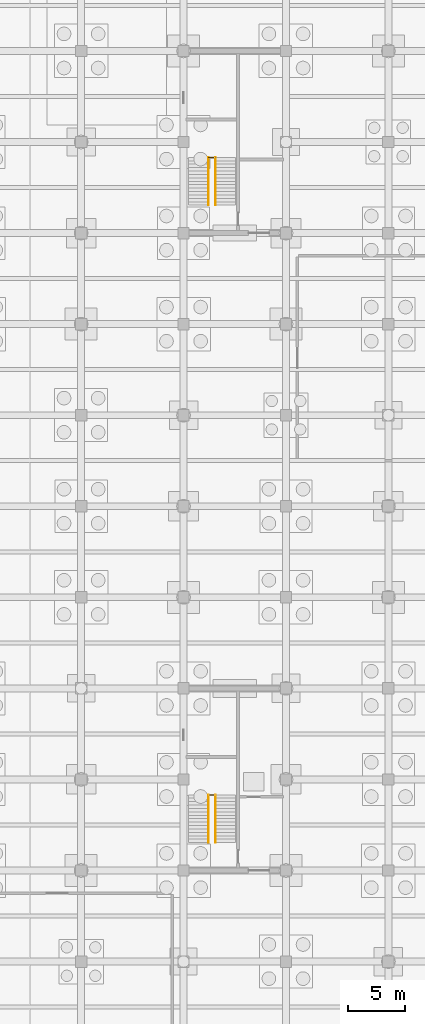
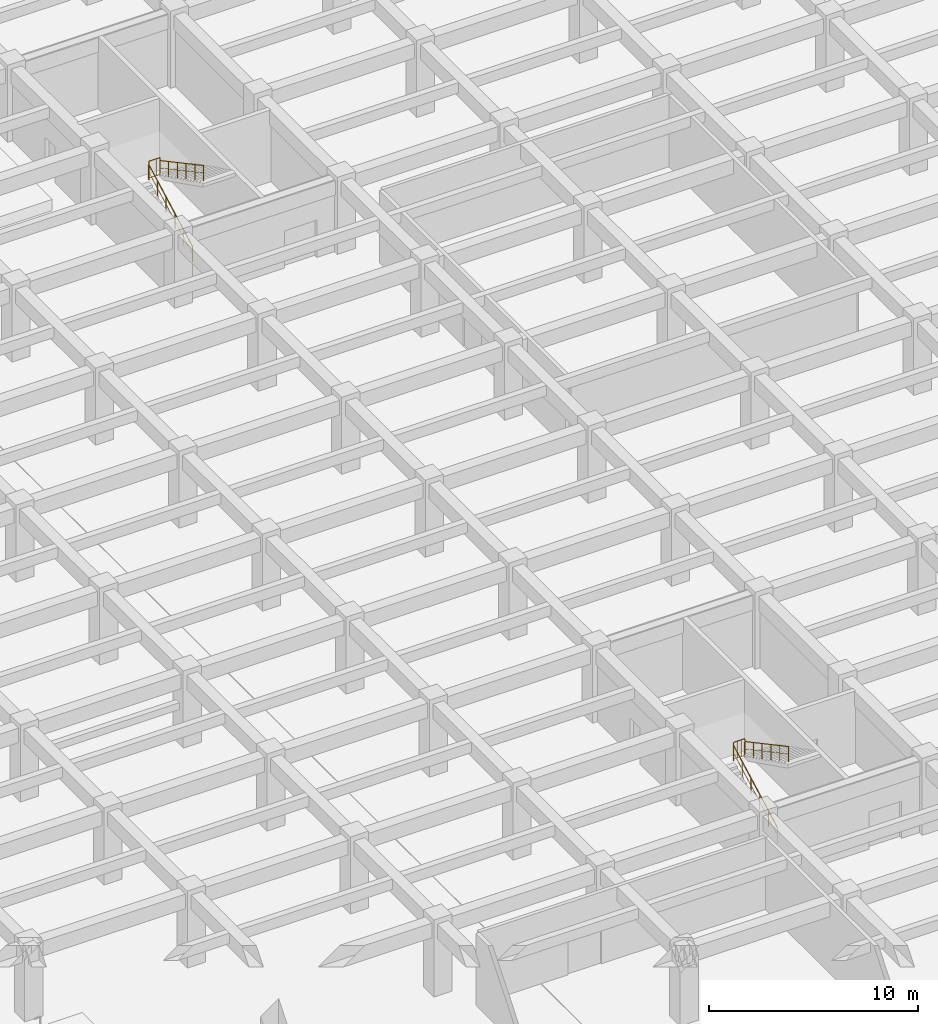
# One storey, part 30 of 31: 6 railings.
"""IFC4 building model written with IfcOpenShell, lengths in metres."""

import ifcopenshell
import ifcopenshell.guid

model = None  # the IFC model being written
_history = None  # IfcOwnerHistory: only IFC2X3 demands one
_inside = {}  # id of a spatial element -> (the spatial element, [elements in it])
_under = {}  # id of a project, library or spatial element -> (it, [spatial elements below it])
_declared = {}  # id of a project -> (the project, [libraries it declares])
_typed = {}  # id of a type object -> (the type object, [elements of that type])
_made_of = {}  # id of a material, layer set ... -> (it, [elements and type objects made of it])


def new_model(schema):
    """Start an empty IFC model of exactly this schema.

    Asked for "IFC4X3", IfcOpenShell would pick the latest addendum, in which some entities
    have other attributes; the version numbers below select the first issue.
    IFC2X3 requires an IfcOwnerHistory on every rooted entity: one is made here for all.
    """
    global model, _history
    if schema == "IFC4X3":
        model = ifcopenshell.file(schema_version=(4, 3, 0, 0))
    else:
        model = ifcopenshell.file(schema=schema)
    _inside.clear()
    _under.clear()
    _declared.clear()
    _typed.clear()
    _made_of.clear()
    _history = None
    if model.schema == "IFC2X3":
        org = make("IfcOrganization", Name="unknown")
        user = make(
            "IfcPersonAndOrganization",
            ThePerson=make("IfcPerson", FamilyName="unknown"),
            TheOrganization=org,
        )
        app = make(
            "IfcApplication",
            ApplicationDeveloper=org,
            Version="unknown",
            ApplicationFullName="unknown",
            ApplicationIdentifier="unknown",
        )
        _history = make(
            "IfcOwnerHistory",
            OwningUser=user,
            OwningApplication=app,
            ChangeAction="ADDED",
            CreationDate=0,
        )
    return model


def make(cls, **values):
    """One entity of the class cls with the attributes given. An attribute that is None is left unset."""
    return model.create_entity(
        cls, **{name: value for name, value in values.items() if value is not None}
    )


def rooted(cls, **values):
    """An entity with a GlobalId (a new one), such as an element, a storey or a relation."""
    return make(cls, GlobalId=ifcopenshell.guid.new(), OwnerHistory=_history, **values)


def si_unit(unit_type, name, prefix=None):
    """IfcSIUnit, for example si_unit("LENGTHUNIT", "METRE", prefix="MILLI")."""
    return make("IfcSIUnit", UnitType=unit_type, Prefix=prefix, Name=name)


def assignment(units):
    """IfcUnitAssignment: the units of a project."""
    return None if units is None else make("IfcUnitAssignment", Units=units)


def point(xyz):
    """IfcCartesianPoint."""
    return None if xyz is None else make("IfcCartesianPoint", Coordinates=xyz)


def direction(xyz):
    """IfcDirection."""
    return None if xyz is None else make("IfcDirection", DirectionRatios=xyz)


def frame(location, z_axis=None, x_axis=None):
    """IfcAxis2Placement3D, a coordinate frame: its origin and axes. An axis left out is left unset."""
    return make(
        "IfcAxis2Placement3D",
        Location=point(location),
        Axis=direction(z_axis),
        RefDirection=direction(x_axis),
    )


def frame_2d(location, x_axis=None):
    """IfcAxis2Placement2D, a coordinate frame in the plane: its origin and x axis."""
    return make(
        "IfcAxis2Placement2D", Location=point(location), RefDirection=direction(x_axis)
    )


def origin():
    """The frame at (0, 0, 0) with its axes left unset."""
    return frame((0.0, 0.0, 0.0))


def origin_2d():
    """The frame at (0, 0) in the plane with its x axis left unset."""
    return frame_2d((0.0, 0.0))


def place(relative_to, where):
    """IfcLocalPlacement: puts the frame where relative to a parent placement (None: the world)."""
    return make(
        "IfcLocalPlacement", PlacementRelTo=relative_to, RelativePlacement=where
    )


def context(
    kind, dimensions, precision=None, world=None, true_north=None, identifier=None
):
    """IfcGeometricRepresentationContext, for example the 3D "Model" context."""
    return make(
        "IfcGeometricRepresentationContext",
        ContextIdentifier=identifier,
        ContextType=kind,
        CoordinateSpaceDimension=dimensions,
        Precision=precision,
        WorldCoordinateSystem=world,
        TrueNorth=true_north,
    )


def subcontext(parent, identifier, kind, view, scale=None):
    """IfcGeometricRepresentationSubContext, for example "Body" below "Model"."""
    return make(
        "IfcGeometricRepresentationSubContext",
        ContextIdentifier=identifier,
        ContextType=kind,
        ParentContext=parent,
        TargetScale=scale,
        TargetView=view,
    )


def project(units=None, contexts=None):
    """IfcProject with its units and contexts."""
    return rooted(
        "IfcProject",
        Name="project",
        RepresentationContexts=contexts,
        UnitsInContext=assignment(units),
    )


def spatial(cls, under=None, at=None, **own):
    """A site, building, storey or space (cls), placed at a placement, below another one or the project."""
    s = rooted(cls, ObjectPlacement=at, **own)
    if under is not None:
        _under.setdefault(under.id(), (under, []))[1].append(s)
    return s


def profile(cls, at=None, kind="AREA", **sizes):
    """A parametric profile (cls). Its sizes go by their IFC names, for example OverallWidth=200.0."""
    return make(cls, ProfileType=kind, Position=at, **sizes)


def circle(**sizes):
    """IfcCircleProfileDef."""
    return profile("IfcCircleProfileDef", **sizes)


def extrude(swept, where, along, depth):
    """IfcExtrudedAreaSolid: the profile swept, set in the frame where, extruded along a direction by depth."""
    return make(
        "IfcExtrudedAreaSolid",
        SweptArea=swept,
        Position=where,
        ExtrudedDirection=direction(along),
        Depth=depth,
    )


def shape(context_of_items, identifier, shape_type, items):
    """IfcShapeRepresentation: the items that make up one representation, for example the "Body"."""
    return make(
        "IfcShapeRepresentation",
        ContextOfItems=context_of_items,
        RepresentationIdentifier=identifier,
        RepresentationType=shape_type,
        Items=items,
    )


def material(Name=None, Category=None):
    """IfcMaterial."""
    return make("IfcMaterial", Name=Name, Category=Category)


def layer(
    of_material, thickness, ventilated=None, Name=None, Category=None, Priority=None
):
    """IfcMaterialLayer: one layer of a wall or slab, of a material (None: an air gap)."""
    return make(
        "IfcMaterialLayer",
        Material=of_material,
        LayerThickness=thickness,
        IsVentilated=ventilated,
        Name=Name,
        Category=Category,
        Priority=Priority,
    )


def layer_set(layers, Name=None):
    """IfcMaterialLayerSet."""
    return make("IfcMaterialLayerSet", MaterialLayers=layers, LayerSetName=Name)


def made_of(thing, what):
    """Note that an element or type object is made of a material, layer set ...; save() writes the relation."""
    if what is not None:
        _made_of.setdefault(what.id(), (what, []))[1].append(thing)
    return thing


def type_object(cls, material=None, **own):
    """A type object (cls), such as IfcWallType, which elements share."""
    return made_of(rooted(cls, **own), material)


def element(
    cls,
    number,
    at=None,
    inside=None,
    cuts=None,
    type_object=None,
    material=None,
    context=None,
    identifier="Body",
    shape_type=None,
    held_by="IfcProductDefinitionShape",
    body=None,
    shapes=None,
    **own,
):
    """One element of the class cls, such as IfcWall. Its Tag is "e" and its number.

    at: its placement. inside: the storey or other place that contains it. cuts: it is an
    opening in that element (IfcRelVoidsElement). A single representation is given by context,
    identifier, shape_type and body (its items); several are given by shapes. held_by: the class
    of the entity that holds the representations. save() writes the other relations.
    """
    e = rooted(cls, Tag="e%d" % number, ObjectPlacement=at, **own)
    if body is not None:
        shapes = [shape(context, identifier, shape_type, body)]
    if shapes is not None:
        e.Representation = make(held_by, Representations=shapes)
    if inside is not None:
        _inside.setdefault(inside.id(), (inside, []))[1].append(e)
    if cuts is not None:
        rooted(
            "IfcRelVoidsElement", RelatingBuildingElement=cuts, RelatedOpeningElement=e
        )
    if type_object is not None:
        _typed.setdefault(type_object.id(), (type_object, []))[1].append(e)
    return made_of(e, material)


def aggregate(whole, parts):
    """IfcRelAggregates: a whole, such as a stair, and the parts it consists of."""
    return rooted("IfcRelAggregates", RelatingObject=whole, RelatedObjects=parts)


def save(model, path):
    """Write the relations noted so far, then the file.

    IfcRelAggregates (storeys below a building ...), IfcRelContainedInSpatialStructure (elements
    in a storey), IfcRelDefinesByType, IfcRelAssociatesMaterial and IfcRelDeclares: one each for
    every whole, place, type object, material and project.
    """
    for whole, parts in _under.values():
        aggregate(whole, parts)
    for where, things in _inside.values():
        rooted(
            "IfcRelContainedInSpatialStructure",
            RelatedElements=things,
            RelatingStructure=where,
        )
    for kind, things in _typed.values():
        rooted("IfcRelDefinesByType", RelatedObjects=things, RelatingType=kind)
    for what, things in _made_of.values():
        rooted("IfcRelAssociatesMaterial", RelatedObjects=things, RelatingMaterial=what)
    for by, libraries in _declared.values():
        rooted("IfcRelDeclares", RelatingContext=by, RelatedDefinitions=libraries)
    model.write(path)


model = new_model("IFC4")

# Units and contexts
model_context = context("Model", 3, precision=1e-05, world=origin(), true_north=direction((0.0, 1.0)))
body_context = subcontext(model_context, "Body", "Model", "MODEL_VIEW")
ifc_project = project(units=[si_unit("LENGTHUNIT", "METRE"), si_unit("AREAUNIT", "SQUARE_METRE"), si_unit("VOLUMEUNIT", "CUBIC_METRE"), si_unit("PLANEANGLEUNIT", "RADIAN"), si_unit("MASSUNIT", "GRAM", prefix="KILO")], contexts=[model_context])

# Site, building, storey
site_placement = place(None, origin())
site = spatial("IfcSite", under=ifc_project, at=site_placement, CompositionType="ELEMENT")
building_placement = place(site_placement, origin())
building = spatial("IfcBuilding", under=site, at=building_placement, Name="Zaverband Oceanarium and Marine Research Institute", CompositionType="ELEMENT")
storey_placement = place(building_placement, frame((0.0, 0.0, -9.0)))
storey = spatial("IfcBuildingStorey", under=building, at=storey_placement, Name="B2", CompositionType="ELEMENT", Elevation=-9.0)

# Railings
ifc_material = material(Name="Steel S355", Category="steel")
ifc_layer_1 = layer(ifc_material, 0.06005859375, Name="Steel S355")
ifc_layer_set_1 = layer_set([ifc_layer_1], Name="Steel S355")
railing_type_1 = type_object("IfcRailingType", Name="GRD-1100", PredefinedType="BALUSTRADE", material=ifc_layer_set_1)
for number, where, name in (
    (1, (137.18994140625, 30.6298828125, 2.25), "1100 mm steel post-and-baluster safety guard GRD-1100"),
    (2, (137.18994140625, 86.6298828125, 2.25), "1100 mm steel post-and-baluster safety guard GRD-1100"),
):
    element("IfcRailing", number, at=place(storey_placement, frame(where)), inside=storey, type_object=railing_type_1, Name=name, PredefinedType="BALUSTRADE", context=body_context, shape_type="SweptSolid", body=[
        extrude(circle(Radius=0.02392578125, at=origin_2d()), frame((0.0, 0.0, 1.076171875), z_axis=(1.0, 0.0, 0.0), x_axis=(0.0, 1.0, 0.0)), (0.0, 0.0, 1.0), 0.6201171875),
        extrude(circle(Radius=0.009033203125, at=origin_2d()), frame((0.0, 0.0, 0.10009765625), z_axis=(1.0, 0.0, 0.0), x_axis=(0.0, 1.0, 0.0)), (0.0, 0.0, 1.0), 0.6201171875),
        extrude(circle(Radius=0.009033203125, at=origin_2d()), frame((0.206787109375, 0.0, 0.10009765625)), (0.0, 0.0, 1.0), 0.951904296875),
        extrude(circle(Radius=0.009033203125, at=origin_2d()), frame((0.413330078125, 0.0, 0.10009765625)), (0.0, 0.0, 1.0), 0.951904296875),
        extrude(circle(Radius=0.02099609375, at=origin_2d()), origin(), (0.0, 0.0, 1.0), 1.052001953125),
        extrude(circle(Radius=0.02099609375, at=origin_2d()), frame((0.6201171875, 0.0, 0.0)), (0.0, 0.0, 1.0), 1.052001953125),
    ])
ifc_layer_2 = layer(ifc_material, 0.050048828125, Name="Steel S355")
ifc_layer_set_2 = layer_set([ifc_layer_2], Name="Steel S355")
railing_type_2 = type_object("IfcRailingType", Name="HR-920", PredefinedType="HANDRAIL", material=ifc_layer_set_2)
railing_1_placement = place(storey_placement, frame((137.18994140625, 26.449951171875, 0.0)))
element("IfcRailing", 3, at=railing_1_placement, inside=storey, type_object=railing_type_2, Name="920 mm continuous tubular stair and ramp handrail HR-920", PredefinedType="HANDRAIL", context=body_context, shape_type="SweptSolid", body=[
    extrude(circle(Radius=0.02392578125, at=origin_2d()), frame((0.0, 0.0, 0.89599609375), z_axis=(0.0, 0.881477684796, 0.472225678258), x_axis=(-1.0, 0.0, 0.0)), (0.0, 0.0, 1.0), 4.7646484375),
    extrude(circle(Radius=0.009033203125, at=origin_2d()), frame((0.0, 0.0, 0.4599609375), z_axis=(0.0, 0.881477684796, 0.472225678258), x_axis=(-1.0, 0.0, 0.0)), (0.0, 0.0, 1.0), 4.7646484375),
    extrude(circle(Radius=0.02099609375, at=origin_2d()), origin(), (0.0, 0.0, 1.0), 0.871826171875),
    extrude(circle(Radius=0.02099609375, at=origin_2d()), frame((0.0, 0.840087890625, 0.449951171875)), (0.0, 0.0, 1.0), 0.871826171875),
    extrude(circle(Radius=0.02099609375, at=origin_2d()), frame((0.0, 1.679931640625, 0.89990234375)), (0.0, 0.0, 1.0), 0.871826171875),
    extrude(circle(Radius=0.02099609375, at=origin_2d()), frame((0.0, 2.52001953125, 1.35009765625)), (0.0, 0.0, 1.0), 0.871826171875),
    extrude(circle(Radius=0.02099609375, at=origin_2d()), frame((0.0, 3.35986328125, 1.800048828125)), (0.0, 0.0, 1.0), 0.871826171875),
    extrude(circle(Radius=0.02099609375, at=origin_2d()), frame((0.0, 4.199951171875, 2.25)), (0.0, 0.0, 1.0), 0.871826171875),
])
railing_2_placement = place(storey_placement, frame((137.81005859375, 30.64990234375, 2.25)))
element("IfcRailing", 4, at=railing_2_placement, inside=storey, type_object=railing_type_2, Name="920 mm continuous tubular stair and ramp handrail HR-920", PredefinedType="HANDRAIL", context=body_context, shape_type="SweptSolid", body=[
    extrude(circle(Radius=0.02392578125, at=origin_2d()), frame((0.0, 0.0, 0.89599609375), z_axis=(0.0, -0.881477684796, 0.472225678258), x_axis=(1.0, 0.0, 0.0)), (0.0, 0.0, 1.0), 4.7646484375),
    extrude(circle(Radius=0.009033203125, at=origin_2d()), frame((0.0, 0.0, 0.4599609375), z_axis=(0.0, -0.881477684796, 0.472225678258), x_axis=(1.0, 0.0, 0.0)), (0.0, 0.0, 1.0), 4.7646484375),
    extrude(circle(Radius=0.02099609375, at=origin_2d()), origin(), (0.0, 0.0, 1.0), 0.871826171875),
    extrude(circle(Radius=0.02099609375, at=origin_2d()), frame((0.0, -0.840087890625, 0.449951171875)), (0.0, 0.0, 1.0), 0.871826171875),
    extrude(circle(Radius=0.02099609375, at=origin_2d()), frame((0.0, -1.679931640625, 0.89990234375)), (0.0, 0.0, 1.0), 0.871826171875),
    extrude(circle(Radius=0.02099609375, at=origin_2d()), frame((0.0, -2.52001953125, 1.35009765625)), (0.0, 0.0, 1.0), 0.871826171875),
    extrude(circle(Radius=0.02099609375, at=origin_2d()), frame((0.0, -3.35986328125, 1.800048828125)), (0.0, 0.0, 1.0), 0.871826171875),
    extrude(circle(Radius=0.02099609375, at=origin_2d()), frame((0.0, -4.199951171875, 2.25)), (0.0, 0.0, 1.0), 0.871826171875),
])
railing_3_placement = place(storey_placement, frame((137.18994140625, 82.449951171875, 0.0)))
element("IfcRailing", 5, at=railing_3_placement, inside=storey, type_object=railing_type_2, Name="920 mm continuous tubular stair and ramp handrail HR-920", PredefinedType="HANDRAIL", context=body_context, shape_type="SweptSolid", body=[
    extrude(circle(Radius=0.02392578125, at=origin_2d()), frame((0.0, 0.0, 0.89599609375), z_axis=(0.0, 0.881477684796, 0.472225678258), x_axis=(-1.0, 0.0, 0.0)), (0.0, 0.0, 1.0), 4.7646484375),
    extrude(circle(Radius=0.009033203125, at=origin_2d()), frame((0.0, 0.0, 0.4599609375), z_axis=(0.0, 0.881477684796, 0.472225678258), x_axis=(-1.0, 0.0, 0.0)), (0.0, 0.0, 1.0), 4.7646484375),
    extrude(circle(Radius=0.02099609375, at=origin_2d()), origin(), (0.0, 0.0, 1.0), 0.871826171875),
    extrude(circle(Radius=0.02099609375, at=origin_2d()), frame((0.0, 0.840087890625, 0.449951171875)), (0.0, 0.0, 1.0), 0.871826171875),
    extrude(circle(Radius=0.02099609375, at=origin_2d()), frame((0.0, 1.679931640625, 0.89990234375)), (0.0, 0.0, 1.0), 0.871826171875),
    extrude(circle(Radius=0.02099609375, at=origin_2d()), frame((0.0, 2.52001953125, 1.35009765625)), (0.0, 0.0, 1.0), 0.871826171875),
    extrude(circle(Radius=0.02099609375, at=origin_2d()), frame((0.0, 3.35986328125, 1.800048828125)), (0.0, 0.0, 1.0), 0.871826171875),
    extrude(circle(Radius=0.02099609375, at=origin_2d()), frame((0.0, 4.199951171875, 2.25)), (0.0, 0.0, 1.0), 0.871826171875),
])
railing_4_placement = place(storey_placement, frame((137.81005859375, 86.64990234375, 2.25)))
element("IfcRailing", 6, at=railing_4_placement, inside=storey, type_object=railing_type_2, Name="920 mm continuous tubular stair and ramp handrail HR-920", PredefinedType="HANDRAIL", context=body_context, shape_type="SweptSolid", body=[
    extrude(circle(Radius=0.02392578125, at=origin_2d()), frame((0.0, 0.0, 0.89599609375), z_axis=(0.0, -0.881477684796, 0.472225678258), x_axis=(1.0, 0.0, 0.0)), (0.0, 0.0, 1.0), 4.7646484375),
    extrude(circle(Radius=0.009033203125, at=origin_2d()), frame((0.0, 0.0, 0.4599609375), z_axis=(0.0, -0.881477684796, 0.472225678258), x_axis=(1.0, 0.0, 0.0)), (0.0, 0.0, 1.0), 4.7646484375),
    extrude(circle(Radius=0.02099609375, at=origin_2d()), origin(), (0.0, 0.0, 1.0), 0.871826171875),
    extrude(circle(Radius=0.02099609375, at=origin_2d()), frame((0.0, -0.840087890625, 0.449951171875)), (0.0, 0.0, 1.0), 0.871826171875),
    extrude(circle(Radius=0.02099609375, at=origin_2d()), frame((0.0, -1.679931640625, 0.89990234375)), (0.0, 0.0, 1.0), 0.871826171875),
    extrude(circle(Radius=0.02099609375, at=origin_2d()), frame((0.0, -2.52001953125, 1.35009765625)), (0.0, 0.0, 1.0), 0.871826171875),
    extrude(circle(Radius=0.02099609375, at=origin_2d()), frame((0.0, -3.35986328125, 1.800048828125)), (0.0, 0.0, 1.0), 0.871826171875),
    extrude(circle(Radius=0.02099609375, at=origin_2d()), frame((0.0, -4.199951171875, 2.25)), (0.0, 0.0, 1.0), 0.871826171875),
])

save(model, "model.ifc")
